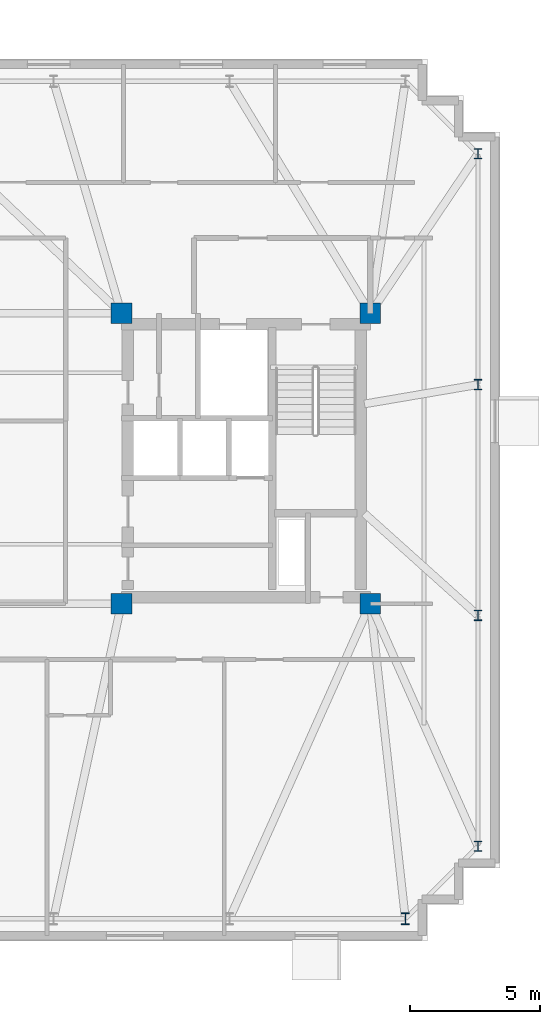
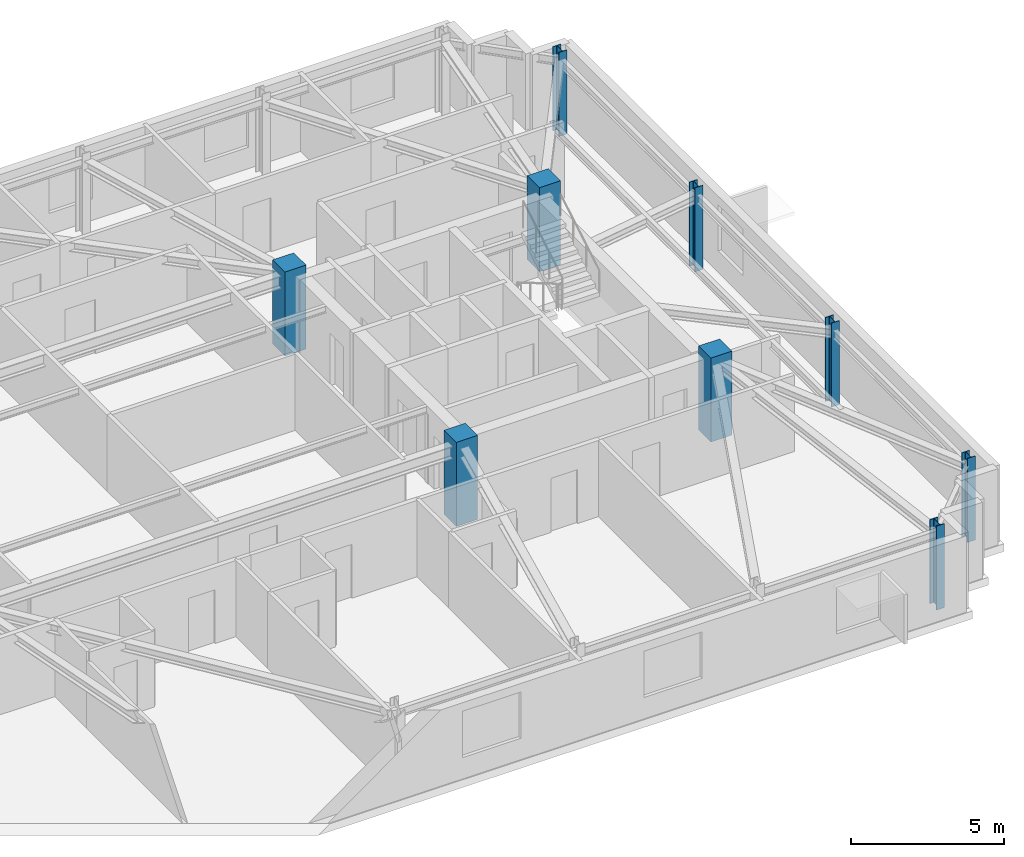
# One storey, part 2 of 11: 9 columns.
"""IFC4 building model written with IfcOpenShell, lengths in metres."""

from ifc_helpers import new_model, si_unit, direction, frame, origin, origin_2d, place, context, subcontext, project, spatial, rectangle, i_section, extrude, material, material_profile, profile_set, type_object, element, save


model = new_model("IFC4")

# Units and contexts
model_context = context("Model", 3, precision=1e-05, world=origin(), true_north=direction((0.0, 1.0)))
body_context = subcontext(model_context, "Body", "Model", "MODEL_VIEW")
ifc_project = project(units=[si_unit("LENGTHUNIT", "METRE"), si_unit("AREAUNIT", "SQUARE_METRE"), si_unit("VOLUMEUNIT", "CUBIC_METRE"), si_unit("PLANEANGLEUNIT", "RADIAN"), si_unit("MASSUNIT", "GRAM", prefix="KILO")], contexts=[model_context])

# Site, building, storey
site_placement = place(None, origin())
site = spatial("IfcSite", under=ifc_project, at=site_placement, CompositionType="ELEMENT")
building_placement = place(site_placement, origin())
building = spatial("IfcBuilding", under=site, at=building_placement, Name="Qobustan Lattice House", CompositionType="ELEMENT")
storey_placement = place(building_placement, frame((0.0, 0.0, 245.050048828125)))
storey = spatial("IfcBuildingStorey", under=building, at=storey_placement, Name="L69", CompositionType="ELEMENT", Elevation=245.050048828125)

# Columns
ifc_material_1 = material(Name="Concrete C50/60", Category="concrete")
ifc_material_profile_1 = material_profile(ifc_material_1, rectangle(XDim=0.800048828125, YDim=0.800048828125, at=origin_2d()), Name="RC800x800")
ifc_profile_set_1 = profile_set([ifc_material_profile_1], Name="Concrete C50/60")
column_type_1 = type_object("IfcColumnType", Name="COL-RC-800", PredefinedType="COLUMN", material=ifc_profile_set_1)
for number, where, z_axis, x_axis, name in (
    (1, (9.199951171875, -5.60009765625, 0.0), (0.0, 0.0, 1.0), (1.0, 0.0, 0.0), "L69 core mega-column CE-SW"),
    (2, (9.199951171875, 5.60009765625, 0.0), (0.0, 0.0, 1.0), (1.0, 0.0, 0.0), "L69 core mega-column CE-NW"),
    (3, (18.800048828125, -5.60009765625, 0.0), (0.0, 0.0, 1.0), (1.0, 0.0, 0.0), "L69 core mega-column CE-SE"),
    (4, (18.800048828125, 5.60009765625, 0.0), (0.0, 0.0, 1.0), (1.0, 0.0, 0.0), "L69 core mega-column CE-NE"),
):
    element("IfcColumn", number, at=place(storey_placement, frame(where, z_axis=z_axis, x_axis=x_axis)), inside=storey, type_object=column_type_1, Name=name, PredefinedType="COLUMN", context=body_context, shape_type="SweptSolid", body=[
        extrude(rectangle(XDim=0.800048828125, YDim=0.800048828125, at=origin_2d()), origin(), (0.0, 0.0, 1.0), 3.349853515625),
    ])
ifc_material_2 = material(Name="Steel S355", Category="steel")
ifc_material_profile_2 = material_profile(ifc_material_2, i_section(OverallWidth=0.300048828125, OverallDepth=0.39990234375, WebThickness=0.013427734375, FlangeThickness=0.02392578125, FilletRadius=0.027099609375, at=origin_2d()), Name="HEB400")
ifc_profile_set_2 = profile_set([ifc_material_profile_2], Name="Steel S355")
column_type_2 = type_object("IfcColumnType", Name="COL-ST-HEB400", PredefinedType="COLUMN", material=ifc_profile_set_2)
for number, where, z_axis, x_axis, name in (
    (5, (22.949951171875, -14.949951171875, 0.0), (0.0, 0.0, 1.0), (1.0, 0.0, 0.0), "L69 B5 perimeter column E1"),
    (6, (22.949951171875, -6.050048828125, 0.0), (0.0, 0.0, 1.0), (1.0, 0.0, 0.0), "L69 B5 perimeter column E2"),
    (7, (22.949951171875, 2.85009765625, 0.0), (0.0, 0.0, 1.0), (1.0, 0.0, 0.0), "L69 B5 perimeter column E3"),
    (8, (22.949951171875, 11.75, 0.0), (0.0, 0.0, 1.0), (1.0, 0.0, 0.0), "L69 B5 perimeter column E4"),
):
    element("IfcColumn", number, at=place(storey_placement, frame(where, z_axis=z_axis, x_axis=x_axis)), inside=storey, type_object=column_type_2, Name=name, PredefinedType="COLUMN", context=body_context, shape_type="SweptSolid", body=[
        extrude(i_section(OverallWidth=0.300048828125, OverallDepth=0.39990234375, WebThickness=0.013427734375, FlangeThickness=0.02392578125, FilletRadius=0.027099609375, at=origin_2d()), origin(), (0.0, 0.0, 1.0), 3.349853515625),
    ])
ifc_material_3 = material(Name="Steel S355", Category="steel")
ifc_material_profile_3 = material_profile(ifc_material_3, i_section(OverallWidth=0.300048828125, OverallDepth=0.449951171875, WebThickness=0.013916015625, FlangeThickness=0.02587890625, FilletRadius=0.027099609375, at=origin_2d()), Name="HEB450")
ifc_profile_set_3 = profile_set([ifc_material_profile_3], Name="Steel S355")
column_type_3 = type_object("IfcColumnType", Name="COL-ST-HEB450", PredefinedType="COLUMN", material=ifc_profile_set_3)
column_placement = place(storey_placement, frame((20.14990234375, -17.75, 0.0), z_axis=(0.0, 0.0, 1.0), x_axis=(1.0, 0.0, 0.0)))
element("IfcColumn", 9, at=column_placement, inside=storey, type_object=column_type_3, Name="L69 B5 perimeter column S7", PredefinedType="COLUMN", context=body_context, shape_type="SweptSolid", body=[
    extrude(i_section(OverallWidth=0.300048828125, OverallDepth=0.449951171875, WebThickness=0.013916015625, FlangeThickness=0.02587890625, FilletRadius=0.027099609375, at=origin_2d()), origin(), (0.0, 0.0, 1.0), 3.349853515625),
])

save(model, "model.ifc")
